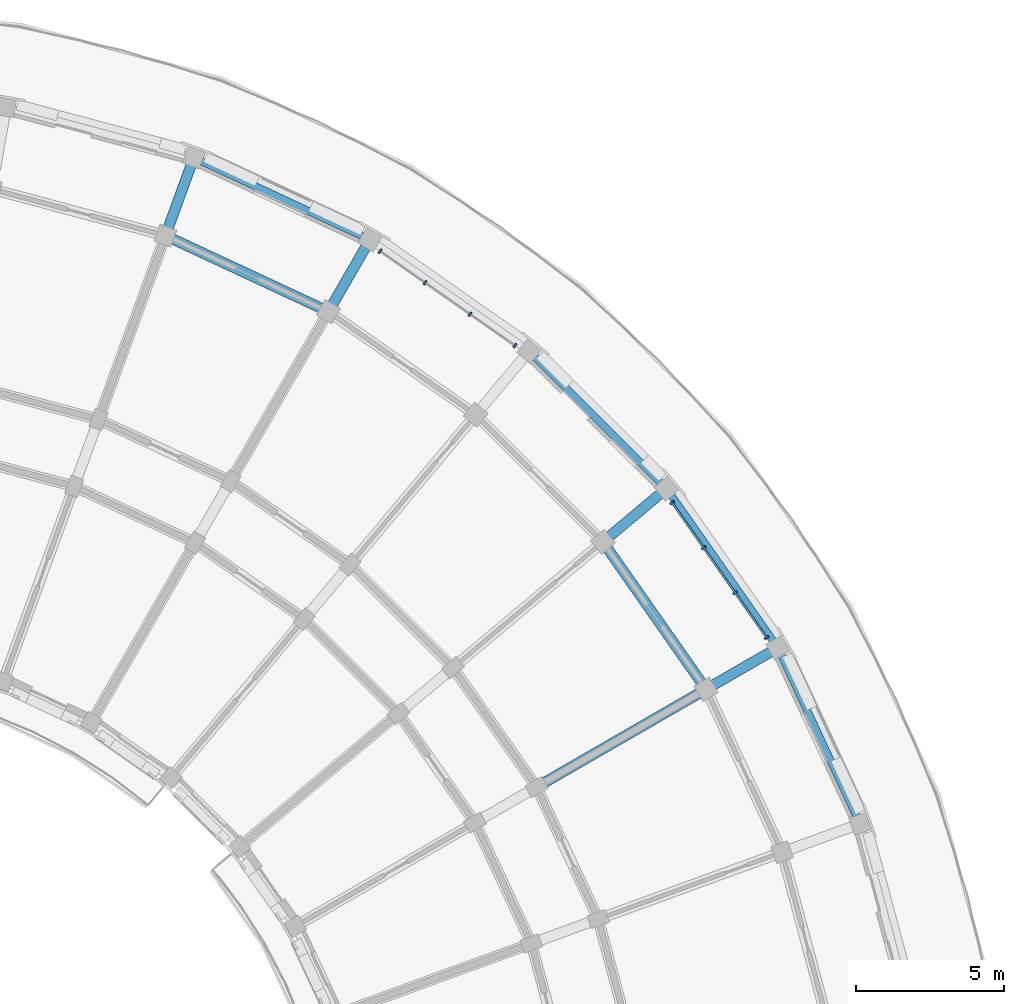
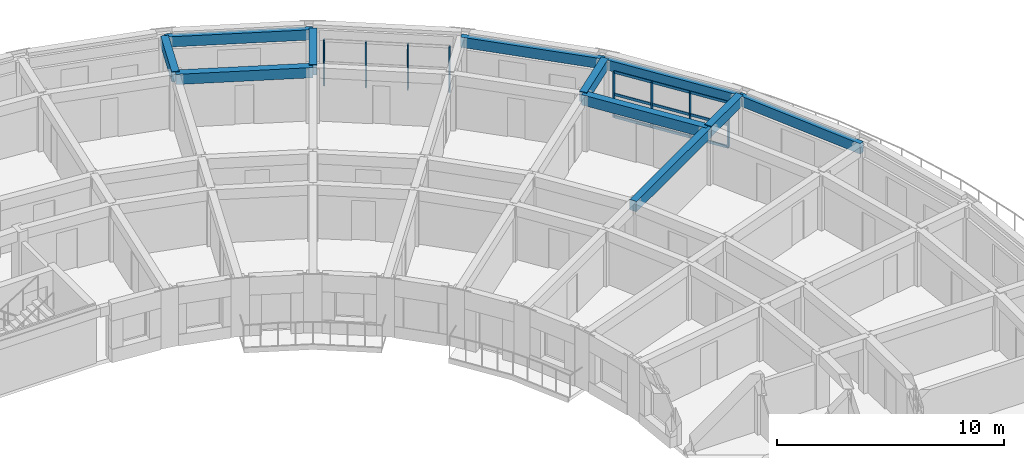
# One storey, part 8 of 36: 11 beams, 11 members, 2 elements without a shape of their own.
"""IFC4 building model written with IfcOpenShell, lengths in metres."""

from ifc_helpers import new_model, si_unit, direction, frame, origin, origin_2d, place, context, subcontext, project, spatial, rectangle, extrude, material, material_profile, profile_set, type_object, element, aggregate, save


model = new_model("IFC4")

# Units and contexts
model_context = context("Model", 3, precision=1e-05, world=origin(), true_north=direction((0.0, 1.0)))
body_context = subcontext(model_context, "Body", "Model", "MODEL_VIEW")
ifc_project = project(units=[si_unit("LENGTHUNIT", "METRE"), si_unit("AREAUNIT", "SQUARE_METRE"), si_unit("VOLUMEUNIT", "CUBIC_METRE"), si_unit("PLANEANGLEUNIT", "RADIAN"), si_unit("MASSUNIT", "GRAM", prefix="KILO")], contexts=[model_context])

# Site, building, storey
site_placement = place(None, origin())
site = spatial("IfcSite", under=ifc_project, at=site_placement, CompositionType="ELEMENT")
building_placement = place(site_placement, origin())
building = spatial("IfcBuilding", under=site, at=building_placement, Name="Kiranvali Square Residences", CompositionType="ELEMENT")
storey_placement = place(building_placement, frame((0.0, 0.0, 37.050048828125)))
storey = spatial("IfcBuildingStorey", under=building, at=storey_placement, Name="L11", CompositionType="ELEMENT", Elevation=37.050048828125)

# Beams
ifc_material_1 = material(Name="Concrete M40 (40 MPa)", Category="concrete")
ifc_material_profile_1 = material_profile(ifc_material_1, rectangle(XDim=0.35009765625, YDim=0.550048828125, at=origin_2d()), Name="RC 350x550")
ifc_profile_set_1 = profile_set([ifc_material_profile_1], Name="Concrete M40 (40 MPa)")
beam_type_1 = type_object("IfcBeamType", Name="BM-M40-350x550", PredefinedType="BEAM", material=ifc_profile_set_1)
beam_1_placement = place(storey_placement, frame((131.702392578125, 120.501220703125, 2.655029296875), z_axis=(0.906312656069, -0.42260781991, 0.0), x_axis=(0.42260781991, 0.906312656069, 0.0)))
element("IfcBeam", 1, at=beam_1_placement, inside=storey, type_object=beam_type_1, Name="L11 beam BM-B-L11-C02-R3", PredefinedType="BEAM", context=body_context, shape_type="SweptSolid", body=[
    extrude(rectangle(XDim=0.35009765625, YDim=0.550048828125, at=origin_2d()), origin(), (0.0, 0.0, 1.0), 6.06591796875),
])
beam_2_placement = place(storey_placement, frame((146.458251953125, 110.1689453125, 2.655029296875), z_axis=(0.573594691504, -0.81913926159, 0.0), x_axis=(0.81913926159, 0.573594691504, 0.0)))
element("IfcBeam", 2, at=beam_2_placement, inside=storey, type_object=beam_type_1, Name="L11 beam BM-B-L11-C05-R3", PredefinedType="BEAM", context=body_context, shape_type="SweptSolid", body=[
    extrude(rectangle(XDim=0.35009765625, YDim=0.550048828125, at=origin_2d()), origin(), (0.0, 0.0, 1.0), 6.066162109375),
])
beam_3_placement = place(storey_placement, frame((131.702392578125, 120.501220703125, 2.695068359375), z_axis=(0.341981089711, 0.93970683422, 0.0), x_axis=(-0.93970683422, 0.341981089711, 0.0)))
element("IfcBeam", 3, at=beam_3_placement, inside=storey, type_object=beam_type_1, Name="L11 beam BM-B-L11-RAD02-34", PredefinedType="BEAM", context=body_context, shape_type="SweptSolid", body=[
    extrude(rectangle(XDim=0.35009765625, YDim=0.550048828125, at=origin_2d()), origin(), (0.0, 0.0, 1.0), 2.7998046875),
])
for number, where, z_axis, x_axis, name in (
    (4, (137.199951171875, 117.937744140625, 2.695068359375), (0.500049511043, 0.865996816683, 0.0), (-0.865996816683, 0.500049511043, 0.0), "L11 beam BM-B-L11-RAD03-34"),
    (5, (146.458251953125, 110.1689453125, 2.695068359375), (0.766058583359, 0.642770757628, 0.0), (-0.642770757628, 0.766058583359, 0.0), "L11 beam BM-B-L11-RAD05-34"),
):
    element("IfcBeam", number, at=place(storey_placement, frame(where, z_axis=z_axis, x_axis=x_axis)), inside=storey, type_object=beam_type_1, Name=name, PredefinedType="BEAM", context=body_context, shape_type="SweptSolid", body=[
        extrude(rectangle(XDim=0.35009765625, YDim=0.550048828125, at=origin_2d()), origin(), (0.0, 0.0, 1.0), 2.800048828125),
    ])
beam_4_placement = place(storey_placement, frame((144.221923828125, 101.89990234375, 2.655029296875), z_axis=(0.866024194504, 0.500002094529, 0.0), x_axis=(-0.500002094529, 0.866024194504, 0.0)))
element("IfcBeam", 6, at=beam_4_placement, inside=storey, type_object=beam_type_1, Name="L11 beam BM-B-L11-RAD06-23", PredefinedType="BEAM", context=body_context, shape_type="SweptSolid", body=[
    extrude(rectangle(XDim=0.35009765625, YDim=0.550048828125, at=origin_2d()), origin(), (0.0, 0.0, 1.0), 6.60009765625),
])
beam_5_placement = place(storey_placement, frame((149.937744140625, 105.199951171875, 2.695068359375), z_axis=(0.865996816683, 0.500049511043, 0.0), x_axis=(-0.500049511043, 0.865996816683, 0.0)))
element("IfcBeam", 7, at=beam_5_placement, inside=storey, type_object=beam_type_1, Name="L11 beam BM-B-L11-RAD06-34", PredefinedType="BEAM", context=body_context, shape_type="SweptSolid", body=[
    extrude(rectangle(XDim=0.35009765625, YDim=0.550048828125, at=origin_2d()), origin(), (0.0, 0.0, 1.0), 2.800048828125),
])

# Curtain wall, members
ifc_material_2 = material(Name="Anodised bronze aluminium framing", Category="aluminium")
curtain_wall_type = type_object("IfcCurtainWallType", Name="CW-RES-LOG", PredefinedType="USERDEFINED", material=ifc_material_2)
curtain_wall_1_placement = place(storey_placement, origin())
curtain_wall_1 = element("IfcCurtainWall", 8, at=curtain_wall_1_placement, inside=storey, type_object=curtain_wall_type, Name="Block B L11 stepped curved terrace loggia 4", ObjectType="CURTAIN WALL", PredefinedType="USERDEFINED")
ifc_material_profile_2 = material_profile(ifc_material_2, rectangle(XDim=0.06494140625, YDim=0.159912109375, at=origin_2d()), Name="ALU 65x160")
ifc_profile_set_2 = profile_set([ifc_material_profile_2], Name="Anodised bronze aluminium framing")
member_type_1 = type_object("IfcMemberType", Name="CW-MUL-160", PredefinedType="MULLION", material=ifc_profile_set_2)
member_1_placement = place(storey_placement, frame((138.940673828125, 119.9775390625, 0.02001953125), z_axis=(0.0, 0.0, 1.0), x_axis=(0.819152044289, -0.573576436351, 0.0)))
member_1 = element("IfcMember", 9, at=member_1_placement, type_object=member_type_1, Name="CW-B-L11-TER-03 vertical mullion 1", PredefinedType="MULLION", context=body_context, shape_type="SweptSolid", body=[
    extrude(rectangle(XDim=0.06494140625, YDim=0.159912109375, at=origin_2d()), origin(), (0.0, 0.0, 1.0), 2.43994140625),
])
member_2_placement = place(storey_placement, frame((140.457275390625, 118.91552734375, 0.02001953125), z_axis=(0.0, 0.0, 1.0), x_axis=(0.819152044289, -0.573576436351, 0.0)))
member_2 = element("IfcMember", 10, at=member_2_placement, type_object=member_type_1, Name="CW-B-L11-TER-03 vertical mullion 2", PredefinedType="MULLION", context=body_context, shape_type="SweptSolid", body=[
    extrude(rectangle(XDim=0.06494140625, YDim=0.159912109375, at=origin_2d()), origin(), (0.0, 0.0, 1.0), 2.43994140625),
])
member_3_placement = place(storey_placement, frame((141.973876953125, 117.853759765625, 0.02001953125), z_axis=(0.0, 0.0, 1.0), x_axis=(0.819152044289, -0.573576436351, 0.0)))
member_3 = element("IfcMember", 11, at=member_3_placement, type_object=member_type_1, Name="CW-B-L11-TER-03 vertical mullion 3", PredefinedType="MULLION", context=body_context, shape_type="SweptSolid", body=[
    extrude(rectangle(XDim=0.06494140625, YDim=0.159912109375, at=origin_2d()), origin(), (0.0, 0.0, 1.0), 2.43994140625),
])
member_4_placement = place(storey_placement, frame((143.490478515625, 116.791748046875, 0.02001953125), z_axis=(0.0, 0.0, 1.0), x_axis=(0.819152044289, -0.573576436351, 0.0)))
member_4 = element("IfcMember", 12, at=member_4_placement, type_object=member_type_1, Name="CW-B-L11-TER-03 vertical mullion 4", PredefinedType="MULLION", context=body_context, shape_type="SweptSolid", body=[
    extrude(rectangle(XDim=0.06494140625, YDim=0.159912109375, at=origin_2d()), origin(), (0.0, 0.0, 1.0), 2.43994140625),
])
aggregate(curtain_wall_1, [member_1, member_2, member_3, member_4])

curtain_wall_2_placement = place(storey_placement, origin())
curtain_wall_2 = element("IfcCurtainWall", 13, at=curtain_wall_2_placement, inside=storey, type_object=curtain_wall_type, Name="Block B L11 stepped curved terrace loggia 6", ObjectType="CURTAIN WALL", PredefinedType="USERDEFINED")
member_5_placement = place(storey_placement, frame((148.791748046875, 111.490478515625, 0.02001953125), z_axis=(0.0, 0.0, 1.0), x_axis=(0.573576436351, -0.819152044289, 0.0)))
member_5 = element("IfcMember", 14, at=member_5_placement, type_object=member_type_1, Name="CW-B-L11-TER-05 vertical mullion 1", PredefinedType="MULLION", context=body_context, shape_type="SweptSolid", body=[
    extrude(rectangle(XDim=0.06494140625, YDim=0.159912109375, at=origin_2d()), origin(), (0.0, 0.0, 1.0), 2.43994140625),
])
member_6_placement = place(storey_placement, frame((149.853759765625, 109.973876953125, 0.02001953125), z_axis=(0.0, 0.0, 1.0), x_axis=(0.573576436351, -0.819152044289, 0.0)))
member_6 = element("IfcMember", 15, at=member_6_placement, type_object=member_type_1, Name="CW-B-L11-TER-05 vertical mullion 2", PredefinedType="MULLION", context=body_context, shape_type="SweptSolid", body=[
    extrude(rectangle(XDim=0.06494140625, YDim=0.159912109375, at=origin_2d()), origin(), (0.0, 0.0, 1.0), 2.43994140625),
])
member_7_placement = place(storey_placement, frame((150.91552734375, 108.457275390625, 0.02001953125), z_axis=(0.0, 0.0, 1.0), x_axis=(0.573576436351, -0.819152044289, 0.0)))
member_7 = element("IfcMember", 16, at=member_7_placement, type_object=member_type_1, Name="CW-B-L11-TER-05 vertical mullion 3", PredefinedType="MULLION", context=body_context, shape_type="SweptSolid", body=[
    extrude(rectangle(XDim=0.06494140625, YDim=0.159912109375, at=origin_2d()), origin(), (0.0, 0.0, 1.0), 2.43994140625),
])
member_8_placement = place(storey_placement, frame((151.9775390625, 106.940673828125, 0.02001953125), z_axis=(0.0, 0.0, 1.0), x_axis=(0.573576436351, -0.819152044289, 0.0)))
member_8 = element("IfcMember", 17, at=member_8_placement, type_object=member_type_1, Name="CW-B-L11-TER-05 vertical mullion 4", PredefinedType="MULLION", context=body_context, shape_type="SweptSolid", body=[
    extrude(rectangle(XDim=0.06494140625, YDim=0.159912109375, at=origin_2d()), origin(), (0.0, 0.0, 1.0), 2.43994140625),
])
ifc_material_profile_3 = material_profile(ifc_material_2, rectangle(XDim=0.06494140625, YDim=0.139892578125, at=origin_2d()), Name="ALU 65x140")
ifc_profile_set_3 = profile_set([ifc_material_profile_3], Name="Anodised bronze aluminium framing")
member_type_2 = type_object("IfcMemberType", Name="CW-TRN-140", PredefinedType="MULLION", material=ifc_profile_set_3)
member_9_placement = place(storey_placement, frame((148.797607421875, 111.482177734375, 0.0400390625), z_axis=(0.573563009328, -0.819161445828, 0.0), x_axis=(0.819161445828, 0.573563009328, 0.0)))
member_9 = element("IfcMember", 18, at=member_9_placement, type_object=member_type_2, Name="CW-B-L11-TER-05 horizontal transom 1", PredefinedType="MULLION", context=body_context, shape_type="SweptSolid", body=[
    extrude(rectangle(XDim=0.06494140625, YDim=0.139892578125, at=origin_2d()), origin(), (0.0, 0.0, 1.0), 5.533935546875),
])
member_10_placement = place(storey_placement, frame((148.797607421875, 111.482177734375, 1.239990234375), z_axis=(0.573563009328, -0.819161445828, 0.0), x_axis=(0.819161445828, 0.573563009328, 0.0)))
member_10 = element("IfcMember", 19, at=member_10_placement, type_object=member_type_2, Name="CW-B-L11-TER-05 horizontal transom 2", PredefinedType="MULLION", context=body_context, shape_type="SweptSolid", body=[
    extrude(rectangle(XDim=0.06494140625, YDim=0.139892578125, at=origin_2d()), origin(), (0.0, 0.0, 1.0), 5.533935546875),
])
member_11_placement = place(storey_placement, frame((148.797607421875, 111.482177734375, 2.43994140625), z_axis=(0.573563009328, -0.819161445828, 0.0), x_axis=(0.819161445828, 0.573563009328, 0.0)))
member_11 = element("IfcMember", 20, at=member_11_placement, type_object=member_type_2, Name="CW-B-L11-TER-05 horizontal transom 3", PredefinedType="MULLION", context=body_context, shape_type="SweptSolid", body=[
    extrude(rectangle(XDim=0.06494140625, YDim=0.139892578125, at=origin_2d()), origin(), (0.0, 0.0, 1.0), 5.533935546875),
])
aggregate(curtain_wall_2, [member_5, member_6, member_7, member_8, member_9, member_10, member_11])

# Beams
ifc_material_profile_4 = material_profile(ifc_material_1, rectangle(XDim=0.25, YDim=0.550048828125, at=origin_2d()), Name="RC 250x550")
ifc_profile_set_4 = profile_set([ifc_material_profile_4], Name="Concrete M40 (40 MPa)")
beam_type_2 = type_object("IfcBeamType", Name="SPN-M40-250x550", PredefinedType="SPANDREL", material=ifc_profile_set_4)
for number, where, z_axis, x_axis, name in (
    (21, (132.659912109375, 123.13232421875, 2.695068359375), (0.906318225223, -0.422595876255, 0.0), (0.422595876255, 0.906318225223, 0.0), "L11 beam BM-B-L11-C02-R4"),
    (22, (143.96875, 116.603271484375, 2.695068359375), (0.707106781187, -0.707106781187, 0.0), (0.707106781187, 0.707106781187, 0.0), "L11 beam BM-B-L11-C04-R4"),
):
    element("IfcBeam", number, at=place(storey_placement, frame(where, z_axis=z_axis, x_axis=x_axis)), inside=storey, type_object=beam_type_2, Name=name, PredefinedType="SPANDREL", context=body_context, shape_type="SweptSolid", body=[
        extrude(rectangle(XDim=0.25, YDim=0.550048828125, at=origin_2d()), origin(), (0.0, 0.0, 1.0), 6.55419921875),
    ])
beam_6_placement = place(storey_placement, frame((148.603271484375, 111.96875, 2.695068359375), z_axis=(0.573587340268, -0.819144409176, 0.0), x_axis=(0.819144409176, 0.573587340268, 0.0)))
element("IfcBeam", 23, at=beam_6_placement, inside=storey, type_object=beam_type_2, Name="L11 beam BM-B-L11-C05-R4", PredefinedType="SPANDREL", context=body_context, shape_type="SweptSolid", body=[
    extrude(rectangle(XDim=0.25, YDim=0.550048828125, at=origin_2d()), origin(), (0.0, 0.0, 1.0), 6.553955078125),
])
beam_7_placement = place(storey_placement, frame((152.362548828125, 106.60009765625, 2.695068359375), z_axis=(0.422595876255, -0.906318225223, 0.0), x_axis=(0.906318225223, 0.422595876255, 0.0)))
element("IfcBeam", 24, at=beam_7_placement, inside=storey, type_object=beam_type_2, Name="L11 beam BM-B-L11-C06-R4", PredefinedType="SPANDREL", context=body_context, shape_type="SweptSolid", body=[
    extrude(rectangle(XDim=0.25, YDim=0.550048828125, at=origin_2d()), origin(), (0.0, 0.0, 1.0), 6.55419921875),
])

save(model, "model.ifc")
